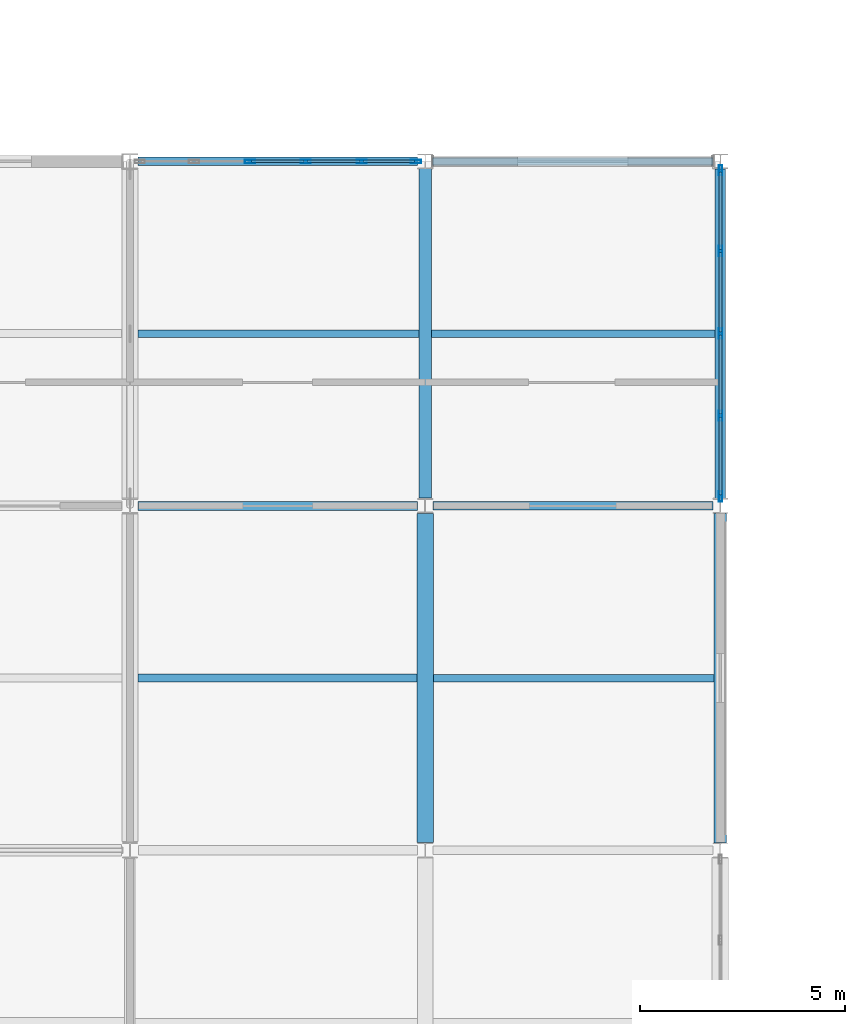
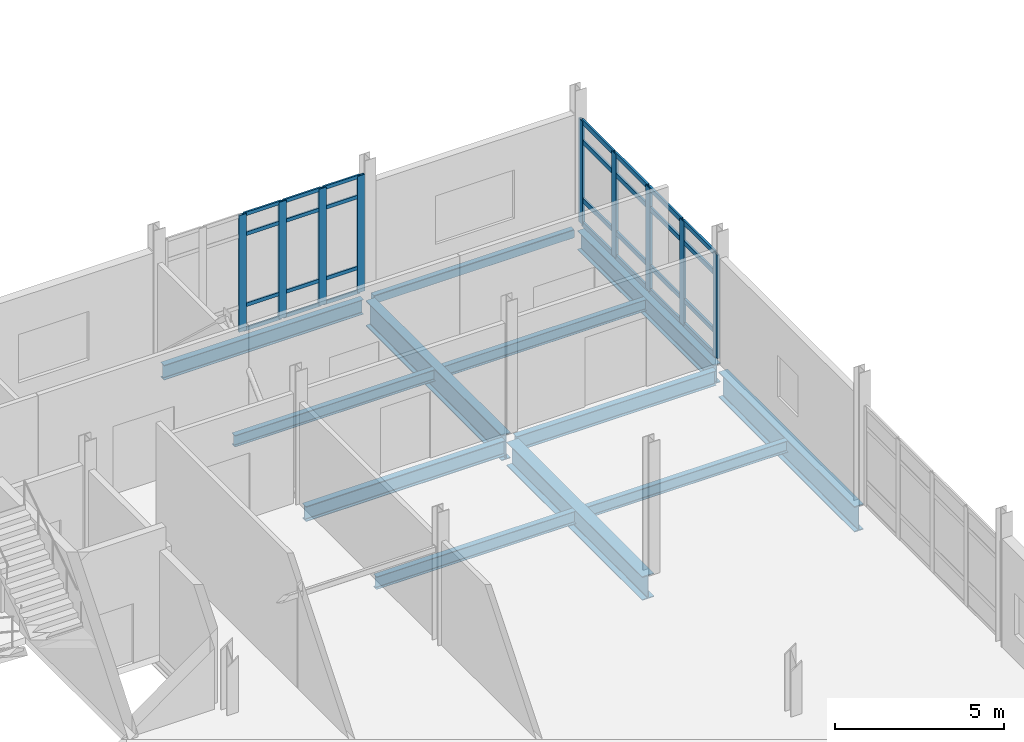
# One storey, part 109 of 186: 37 members, 12 beams, 2 elements without a shape of their own.
"""IFC4 building model written with IfcOpenShell, lengths in metres."""

from ifc_helpers import new_model, si_unit, direction, frame, origin, origin_2d, place, context, subcontext, project, spatial, hollow_rectangle, i_section, extrude, material, layer, layer_set, material_profile, profile_set, type_object, element, aggregate, save


model = new_model("IFC4")

# Units and contexts
model_context = context("Model", 3, precision=1e-05, world=origin(), true_north=direction((0.0, 1.0)))
body_context = subcontext(model_context, "Body", "Model", "MODEL_VIEW")
ifc_project = project(units=[si_unit("LENGTHUNIT", "METRE"), si_unit("AREAUNIT", "SQUARE_METRE"), si_unit("VOLUMEUNIT", "CUBIC_METRE"), si_unit("PLANEANGLEUNIT", "RADIAN"), si_unit("MASSUNIT", "GRAM", prefix="KILO")], contexts=[model_context])

# Site, building, storey
site_placement = place(None, origin())
site = spatial("IfcSite", under=ifc_project, at=site_placement, CompositionType="ELEMENT")
building_placement = place(site_placement, origin())
building = spatial("IfcBuilding", under=site, at=building_placement, Name="Calvrana Isthmian Art Gallery", CompositionType="ELEMENT")
storey_placement = place(building_placement, frame((0.0, 0.0, 5.39990234375)))
storey = spatial("IfcBuildingStorey", under=building, at=storey_placement, Name="L01", CompositionType="ELEMENT", Elevation=5.39990234375)

# Beams
ifc_material_1 = material(Name="Steel ASTM A992 Gr 50", Category="steel")
ifc_material_profile_1 = material_profile(ifc_material_1, i_section(OverallWidth=0.208984375, OverallDepth=0.532958984375, WebThickness=0.01025390625, FlangeThickness=0.015625, FilletRadius=0.02099609375, at=origin_2d()), Name="W21X62")
ifc_profile_set_1 = profile_set([ifc_material_profile_1], Name="Steel ASTM A992 Gr 50")
beam_type_1 = type_object("IfcBeamType", Name="BM-G-W21X62", PredefinedType="BEAM", material=ifc_profile_set_1)
beam_1_placement = place(storey_placement, frame((148.986572265625, 38.39990234375, -0.511474609375), z_axis=(1.0, 0.0, 0.0), x_axis=(0.0, 1.0, 0.0)))
element("IfcBeam", 1, at=beam_1_placement, inside=storey, type_object=beam_type_1, Name="Girder X L01 20-21/F", PredefinedType="BEAM", context=body_context, shape_type="SweptSolid", body=[
    extrude(i_section(OverallWidth=0.208984375, OverallDepth=0.532958984375, WebThickness=0.01025390625, FlangeThickness=0.015625, FilletRadius=0.02099609375, at=origin_2d()), origin(), (0.0, 0.0, 1.0), 6.826904296875),
])
beam_2_placement = place(storey_placement, frame((141.799560546875, 46.800048828125, -0.511474609375), z_axis=(1.0, 0.0, 0.0), x_axis=(0.0, 1.0, 0.0)))
element("IfcBeam", 2, at=beam_2_placement, inside=storey, type_object=beam_type_1, Name="Girder X L01 19-20/G", PredefinedType="BEAM", context=body_context, shape_type="SweptSolid", body=[
    extrude(i_section(OverallWidth=0.208984375, OverallDepth=0.532958984375, WebThickness=0.01025390625, FlangeThickness=0.015625, FilletRadius=0.02099609375, at=origin_2d()), origin(), (0.0, 0.0, 1.0), 6.81640625),
])
ifc_material_profile_2 = material_profile(ifc_material_1, i_section(OverallWidth=0.214111328125, OverallDepth=0.549072265625, WebThickness=0.0146484375, FlangeThickness=0.023681640625, FilletRadius=0.02099609375, at=origin_2d()), Name="W21X93")
ifc_profile_set_2 = profile_set([ifc_material_profile_2], Name="Steel ASTM A992 Gr 50")
beam_type_2 = type_object("IfcBeamType", Name="BM-G-W21X93", PredefinedType="BEAM", material=ifc_profile_set_2)
beam_3_placement = place(storey_placement, frame((141.799560546875, 38.39990234375, -0.519287109375), z_axis=(1.0, 0.0, 0.0), x_axis=(0.0, 1.0, 0.0)))
element("IfcBeam", 3, at=beam_3_placement, inside=storey, type_object=beam_type_2, Name="Girder X L01 19-20/F", PredefinedType="BEAM", context=body_context, shape_type="SweptSolid", body=[
    extrude(i_section(OverallWidth=0.214111328125, OverallDepth=0.549072265625, WebThickness=0.0146484375, FlangeThickness=0.023681640625, FilletRadius=0.02099609375, at=origin_2d()), origin(), (0.0, 0.0, 1.0), 6.81396484375),
])
ifc_material_profile_3 = material_profile(ifc_material_1, i_section(OverallWidth=0.257080078125, OverallDepth=0.693115234375, WebThickness=0.014404296875, FlangeThickness=0.023681640625, FilletRadius=0.02392578125, at=origin_2d()), Name="W27X114")
ifc_profile_set_3 = profile_set([ifc_material_profile_3], Name="Steel ASTM A992 Gr 50")
beam_type_3 = type_object("IfcBeamType", Name="BM-G-W27X114", PredefinedType="BEAM", material=ifc_profile_set_3)
beam_4_placement = place(storey_placement, frame((156.0, 38.583984375, -0.59130859375), z_axis=(0.0, 1.0, 0.0), x_axis=(-1.0, 0.0, 0.0)))
element("IfcBeam", 4, at=beam_4_placement, inside=storey, type_object=beam_type_3, Name="Girder Y L01 21/F-G", PredefinedType="BEAM", context=body_context, shape_type="SweptSolid", body=[
    extrude(i_section(OverallWidth=0.257080078125, OverallDepth=0.693115234375, WebThickness=0.014404296875, FlangeThickness=0.023681640625, FilletRadius=0.02392578125, at=origin_2d()), origin(), (0.0, 0.0, 1.0), 8.029541015625),
])
ifc_material_profile_4 = material_profile(ifc_material_1, i_section(OverallWidth=0.40087890625, OverallDepth=0.85595703125, WebThickness=0.018310546875, FlangeThickness=0.029296875, FilletRadius=0.02587890625, at=origin_2d()), Name="W33X201")
ifc_profile_set_4 = profile_set([ifc_material_profile_4], Name="Steel ASTM A992 Gr 50")
beam_type_4 = type_object("IfcBeamType", Name="BM-G-W33X201", PredefinedType="BEAM", material=ifc_profile_set_4)
beam_5_placement = place(storey_placement, frame((148.800048828125, 30.18408203125, -0.6728515625), z_axis=(0.0, 1.0, 0.0), x_axis=(-1.0, 0.0, 0.0)))
element("IfcBeam", 5, at=beam_5_placement, inside=storey, type_object=beam_type_4, Name="Girder Y L01 20/E-F", PredefinedType="BEAM", context=body_context, shape_type="SweptSolid", body=[
    extrude(i_section(OverallWidth=0.40087890625, OverallDepth=0.85595703125, WebThickness=0.018310546875, FlangeThickness=0.029296875, FilletRadius=0.02587890625, at=origin_2d()), origin(), (0.0, 0.0, 1.0), 8.029296875),
])
ifc_material_profile_5 = material_profile(ifc_material_1, i_section(OverallWidth=0.306884765625, OverallDepth=0.927001953125, WebThickness=0.019287109375, FlangeThickness=0.031982421875, FilletRadius=0.028076171875, at=origin_2d()), Name="W36X194")
ifc_profile_set_5 = profile_set([ifc_material_profile_5], Name="Steel ASTM A992 Gr 50")
beam_type_5 = type_object("IfcBeamType", Name="BM-G-W36X194", PredefinedType="BEAM", material=ifc_profile_set_5)
beam_6_placement = place(storey_placement, frame((148.800048828125, 38.58642578125, -0.70849609375), z_axis=(0.0, 1.0, 0.0), x_axis=(-1.0, 0.0, 0.0)))
element("IfcBeam", 6, at=beam_6_placement, inside=storey, type_object=beam_type_5, Name="Girder Y L01 20/F-G", PredefinedType="BEAM", context=body_context, shape_type="SweptSolid", body=[
    extrude(i_section(OverallWidth=0.306884765625, OverallDepth=0.927001953125, WebThickness=0.019287109375, FlangeThickness=0.031982421875, FilletRadius=0.028076171875, at=origin_2d()), origin(), (0.0, 0.0, 1.0), 8.03564453125),
])
beam_7_placement = place(storey_placement, frame((156.0, 30.181396484375, -0.70849609375), z_axis=(0.0, 1.0, 0.0), x_axis=(-1.0, 0.0, 0.0)))
element("IfcBeam", 7, at=beam_7_placement, inside=storey, type_object=beam_type_5, Name="Girder Y L01 21/E-F", PredefinedType="BEAM", context=body_context, shape_type="SweptSolid", body=[
    extrude(i_section(OverallWidth=0.306884765625, OverallDepth=0.927001953125, WebThickness=0.019287109375, FlangeThickness=0.031982421875, FilletRadius=0.028076171875, at=origin_2d()), origin(), (0.0, 0.0, 1.0), 8.03466796875),
])
ifc_material_profile_6 = material_profile(ifc_material_1, i_section(OverallWidth=0.177978515625, OverallDepth=0.404052734375, WebThickness=0.007568359375, FlangeThickness=0.010986328125, FilletRadius=0.01806640625, at=origin_2d()), Name="W16X36")
ifc_profile_set_6 = profile_set([ifc_material_profile_6], Name="Steel ASTM A992 Gr 50")
beam_type_6 = type_object("IfcBeamType", Name="BM-J-W16X36", PredefinedType="JOIST", material=ifc_profile_set_6)
beam_8_placement = place(storey_placement, frame((148.95361328125, 42.60009765625, -0.447021484375), z_axis=(1.0, 0.0, 0.0), x_axis=(0.0, 1.0, 0.0)))
element("IfcBeam", 8, at=beam_8_placement, inside=storey, type_object=beam_type_6, Name="Composite joist L01 bay 19-05", PredefinedType="JOIST", context=body_context, shape_type="SweptSolid", body=[
    extrude(i_section(OverallWidth=0.177978515625, OverallDepth=0.404052734375, WebThickness=0.007568359375, FlangeThickness=0.010986328125, FilletRadius=0.01806640625, at=origin_2d()), origin(), (0.0, 0.0, 1.0), 6.91796875),
])
ifc_material_profile_7 = material_profile(ifc_material_1, i_section(OverallWidth=0.179931640625, OverallDepth=0.4140625, WebThickness=0.009765625, FlangeThickness=0.01611328125, FilletRadius=0.01806640625, at=origin_2d()), Name="W16X50")
ifc_profile_set_7 = profile_set([ifc_material_profile_7], Name="Steel ASTM A992 Gr 50")
beam_type_7 = type_object("IfcBeamType", Name="BM-J-W16X50", PredefinedType="JOIST", material=ifc_profile_set_7)
for number, where, z_axis, x_axis, name in (
    (9, (141.800537109375, 42.60009765625, -0.451904296875), (1.0, 0.0, 0.0), (0.0, 1.0, 0.0), "Composite joist L01 bay 18-05"),
    (10, (149.00048828125, 34.199951171875, -0.451904296875), (1.0, 0.0, 0.0), (0.0, 1.0, 0.0), "Composite joist L01 bay 19-04"),
):
    element("IfcBeam", number, at=place(storey_placement, frame(where, z_axis=z_axis, x_axis=x_axis)), inside=storey, type_object=beam_type_7, Name=name, PredefinedType="JOIST", context=body_context, shape_type="SweptSolid", body=[
        extrude(i_section(OverallWidth=0.179931640625, OverallDepth=0.4140625, WebThickness=0.009765625, FlangeThickness=0.01611328125, FilletRadius=0.01806640625, at=origin_2d()), origin(), (0.0, 0.0, 1.0), 6.845947265625),
    ])
ifc_material_profile_8 = material_profile(ifc_material_1, i_section(OverallWidth=0.19091796875, OverallDepth=0.45703125, WebThickness=0.009033203125, FlangeThickness=0.014404296875, FilletRadius=0.02001953125, at=origin_2d()), Name="W18X50")
ifc_profile_set_8 = profile_set([ifc_material_profile_8], Name="Steel ASTM A992 Gr 50")
beam_type_8 = type_object("IfcBeamType", Name="BM-J-W18X50", PredefinedType="JOIST", material=ifc_profile_set_8)
beam_9_placement = place(storey_placement, frame((141.79052734375, 34.199951171875, -0.473388671875), z_axis=(1.0, 0.0, 0.0), x_axis=(0.0, 1.0, 0.0)))
element("IfcBeam", 11, at=beam_9_placement, inside=storey, type_object=beam_type_8, Name="Composite joist L01 bay 18-04", PredefinedType="JOIST", context=body_context, shape_type="SweptSolid", body=[
    extrude(i_section(OverallWidth=0.19091796875, OverallDepth=0.45703125, WebThickness=0.009033203125, FlangeThickness=0.014404296875, FilletRadius=0.02001953125, at=origin_2d()), origin(), (0.0, 0.0, 1.0), 6.80908203125),
])
ifc_material_2 = material(Name="Steel ASTM A500 Gr C", Category="steel")
ifc_material_profile_9 = material_profile(ifc_material_2, hollow_rectangle(XDim=0.203125, YDim=0.3046875, WallThickness=0.0126953125, OuterFilletRadius=0.02490234375, at=origin_2d()), Name="HSS305X203X12.7")
ifc_profile_set_9 = profile_set([ifc_material_profile_9], Name="Steel ASTM A500 Gr C")
beam_type_9 = type_object("IfcBeamType", Name="BM-SP-HSS305", PredefinedType="SPANDREL", material=ifc_profile_set_9)
beam_10_placement = place(storey_placement, frame((148.98388671875, 46.800048828125, -0.397216796875), z_axis=(1.0, 0.0, 0.0), x_axis=(0.0, 1.0, 0.0)))
element("IfcBeam", 12, at=beam_10_placement, inside=storey, type_object=beam_type_9, Name="Girder X L01 20-21/G", PredefinedType="SPANDREL", context=body_context, shape_type="SweptSolid", body=[
    extrude(hollow_rectangle(XDim=0.203125, YDim=0.3046875, WallThickness=0.0126953125, OuterFilletRadius=0.02490234375, at=origin_2d()), origin(), (0.0, 0.0, 1.0), 6.82958984375),
])

# Curtain wall, members
ifc_material_3 = material(Name="Anodized bronze aluminium 6063-T6", Category="aluminium")
ifc_layer_1 = layer(ifc_material_3, 0.179931640625, Name="Anodized bronze aluminium 6063-T6")
ifc_layer_set_1 = layer_set([ifc_layer_1], Name="Anodized bronze aluminium 6063-T6")
curtain_wall_type_1 = type_object("IfcCurtainWallType", Name="CW-UNIT-068X42", PredefinedType="USERDEFINED", material=ifc_layer_set_1)
curtain_wall_1_placement = place(storey_placement, origin())
curtain_wall_1 = element("IfcCurtainWall", 13, at=curtain_wall_1_placement, inside=storey, type_object=curtain_wall_type_1, Name="Curtain wall CW-101", ObjectType="UNITISED CURTAIN WALL", PredefinedType="USERDEFINED")
ifc_material_profile_10 = material_profile(ifc_material_3, hollow_rectangle(XDim=0.080078125, YDim=0.25, WallThickness=0.005615234375, at=origin_2d()), Name="CWM80X250")
ifc_profile_set_10 = profile_set([ifc_material_profile_10], Name="Anodized bronze aluminium 6063-T6")
member_type_1 = type_object("IfcMemberType", Name="CWM-CWM80X250", PredefinedType="MULLION", material=ifc_profile_set_10)
member_1_placement = place(storey_placement, frame((144.524658203125, 46.800048828125, 0.0), z_axis=(0.0, 0.0, 1.0), x_axis=(0.0, 1.0, 0.0)))
member_1 = element("IfcMember", 14, at=member_1_placement, type_object=member_type_1, Name="CW-101 mullion 3", PredefinedType="MULLION", context=body_context, shape_type="SweptSolid", body=[
    extrude(hollow_rectangle(XDim=0.080078125, YDim=0.25, WallThickness=0.005615234375, at=origin_2d()), origin(), (0.0, 0.0, 1.0), 4.21533203125),
])
member_2_placement = place(storey_placement, frame((145.887939453125, 46.800048828125, 0.0), z_axis=(0.0, 0.0, 1.0), x_axis=(0.0, 1.0, 0.0)))
member_2 = element("IfcMember", 15, at=member_2_placement, type_object=member_type_1, Name="CW-101 mullion 4", PredefinedType="MULLION", context=body_context, shape_type="SweptSolid", body=[
    extrude(hollow_rectangle(XDim=0.080078125, YDim=0.25, WallThickness=0.005615234375, at=origin_2d()), origin(), (0.0, 0.0, 1.0), 4.21533203125),
])
member_3_placement = place(storey_placement, frame((147.251220703125, 46.800048828125, 0.0), z_axis=(0.0, 0.0, 1.0), x_axis=(0.0, 1.0, 0.0)))
member_3 = element("IfcMember", 16, at=member_3_placement, type_object=member_type_1, Name="CW-101 mullion 5", PredefinedType="MULLION", context=body_context, shape_type="SweptSolid", body=[
    extrude(hollow_rectangle(XDim=0.080078125, YDim=0.25, WallThickness=0.005615234375, at=origin_2d()), origin(), (0.0, 0.0, 1.0), 4.21533203125),
])
member_4_placement = place(storey_placement, frame((148.574462890625, 46.800048828125, 0.0), z_axis=(0.0, 0.0, 1.0), x_axis=(0.0, 1.0, 0.0)))
member_4 = element("IfcMember", 17, at=member_4_placement, type_object=member_type_1, Name="CW-101 mullion 6", PredefinedType="MULLION", context=body_context, shape_type="SweptSolid", body=[
    extrude(hollow_rectangle(XDim=0.080078125, YDim=0.25, WallThickness=0.005615234375, at=origin_2d()), origin(), (0.0, 0.0, 1.0), 4.21533203125),
])

ifc_layer_2 = layer(ifc_material_3, 0.179931640625, Name="Anodized bronze aluminium 6063-T6")
ifc_layer_set_2 = layer_set([ifc_layer_2], Name="Anodized bronze aluminium 6063-T6")
curtain_wall_type_2 = type_object("IfcCurtainWallType", Name="CW-STICK-080X37", PredefinedType="NOTDEFINED", material=ifc_layer_set_2)
curtain_wall_2_placement = place(storey_placement, origin())
curtain_wall_2 = element("IfcCurtainWall", 18, at=curtain_wall_2_placement, inside=storey, type_object=curtain_wall_type_2, Name="Curtain wall CW-143", PredefinedType="NOTDEFINED")
member_5_placement = place(storey_placement, frame((156.0, 46.58203125, 0.0), z_axis=(0.0, 0.0, 1.0), x_axis=(1.0, 0.0, 0.0)))
member_5 = element("IfcMember", 19, at=member_5_placement, type_object=member_type_1, Name="CW-143 mullion 1", PredefinedType="MULLION", context=body_context, shape_type="SweptSolid", body=[
    extrude(hollow_rectangle(XDim=0.080078125, YDim=0.25, WallThickness=0.005615234375, at=origin_2d()), origin(), (0.0, 0.0, 1.0), 3.748046875),
])
member_6_placement = place(storey_placement, frame((156.0, 44.613037109375, 0.0), z_axis=(0.0, 0.0, 1.0), x_axis=(1.0, 0.0, 0.0)))
member_6 = element("IfcMember", 20, at=member_6_placement, type_object=member_type_1, Name="CW-143 mullion 2", PredefinedType="MULLION", context=body_context, shape_type="SweptSolid", body=[
    extrude(hollow_rectangle(XDim=0.080078125, YDim=0.25, WallThickness=0.005615234375, at=origin_2d()), origin(), (0.0, 0.0, 1.0), 3.748046875),
])
member_7_placement = place(storey_placement, frame((156.0, 42.604248046875, 0.0), z_axis=(0.0, 0.0, 1.0), x_axis=(1.0, 0.0, 0.0)))
member_7 = element("IfcMember", 21, at=member_7_placement, type_object=member_type_1, Name="CW-143 mullion 3", PredefinedType="MULLION", context=body_context, shape_type="SweptSolid", body=[
    extrude(hollow_rectangle(XDim=0.080078125, YDim=0.25, WallThickness=0.005615234375, at=origin_2d()), origin(), (0.0, 0.0, 1.0), 3.748046875),
])
member_8_placement = place(storey_placement, frame((156.0, 40.595458984375, 0.0), z_axis=(0.0, 0.0, 1.0), x_axis=(1.0, 0.0, 0.0)))
member_8 = element("IfcMember", 22, at=member_8_placement, type_object=member_type_1, Name="CW-143 mullion 4", PredefinedType="MULLION", context=body_context, shape_type="SweptSolid", body=[
    extrude(hollow_rectangle(XDim=0.080078125, YDim=0.25, WallThickness=0.005615234375, at=origin_2d()), origin(), (0.0, 0.0, 1.0), 3.748046875),
])
member_9_placement = place(storey_placement, frame((156.0, 38.62646484375, 0.0), z_axis=(0.0, 0.0, 1.0), x_axis=(1.0, 0.0, 0.0)))
member_9 = element("IfcMember", 23, at=member_9_placement, type_object=member_type_1, Name="CW-143 mullion 5", PredefinedType="MULLION", context=body_context, shape_type="SweptSolid", body=[
    extrude(hollow_rectangle(XDim=0.080078125, YDim=0.25, WallThickness=0.005615234375, at=origin_2d()), origin(), (0.0, 0.0, 1.0), 3.748046875),
])

# Member
ifc_material_profile_11 = material_profile(ifc_material_3, hollow_rectangle(XDim=0.06005859375, YDim=0.1298828125, WallThickness=0.00390625, at=origin_2d()), Name="CWT60X130")
ifc_profile_set_11 = profile_set([ifc_material_profile_11], Name="Anodized bronze aluminium 6063-T6")
member_type_2 = type_object("IfcMemberType", Name="CWT-CWT60X130", PredefinedType="USERDEFINED", material=ifc_profile_set_11)
member_10_placement = place(storey_placement, frame((144.564697265625, 46.800048828125, 0.030029296875), z_axis=(1.0, 0.0, 0.0), x_axis=(0.0, 1.0, 0.0)))
member_10 = element("IfcMember", 24, at=member_10_placement, type_object=member_type_2, Name="CW-101 transom 3.1", ObjectType="TRANSOM", PredefinedType="USERDEFINED", context=body_context, shape_type="SweptSolid", body=[
    extrude(hollow_rectangle(XDim=0.06005859375, YDim=0.1298828125, WallThickness=0.00390625, at=origin_2d()), origin(), (0.0, 0.0, 1.0), 1.283203125),
])

member_11_placement = place(storey_placement, frame((144.564697265625, 46.800048828125, 0.900146484375), z_axis=(1.0, 0.0, 0.0), x_axis=(0.0, 1.0, 0.0)))
member_11 = element("IfcMember", 25, at=member_11_placement, type_object=member_type_2, Name="CW-101 transom 3.2", ObjectType="TRANSOM", PredefinedType="USERDEFINED", context=body_context, shape_type="SweptSolid", body=[
    extrude(hollow_rectangle(XDim=0.06005859375, YDim=0.1298828125, WallThickness=0.00390625, at=origin_2d()), origin(), (0.0, 0.0, 1.0), 1.283203125),
])

member_12_placement = place(storey_placement, frame((144.564697265625, 46.800048828125, 3.46533203125), z_axis=(1.0, 0.0, 0.0), x_axis=(0.0, 1.0, 0.0)))
member_12 = element("IfcMember", 26, at=member_12_placement, type_object=member_type_2, Name="CW-101 transom 3.3", ObjectType="TRANSOM", PredefinedType="USERDEFINED", context=body_context, shape_type="SweptSolid", body=[
    extrude(hollow_rectangle(XDim=0.06005859375, YDim=0.1298828125, WallThickness=0.00390625, at=origin_2d()), origin(), (0.0, 0.0, 1.0), 1.283203125),
])

member_13_placement = place(storey_placement, frame((144.564697265625, 46.800048828125, 4.185302734375), z_axis=(1.0, 0.0, 0.0), x_axis=(0.0, 1.0, 0.0)))
member_13 = element("IfcMember", 27, at=member_13_placement, type_object=member_type_2, Name="CW-101 transom 3.4", ObjectType="TRANSOM", PredefinedType="USERDEFINED", context=body_context, shape_type="SweptSolid", body=[
    extrude(hollow_rectangle(XDim=0.06005859375, YDim=0.1298828125, WallThickness=0.00390625, at=origin_2d()), origin(), (0.0, 0.0, 1.0), 1.283203125),
])

member_14_placement = place(storey_placement, frame((145.927978515625, 46.800048828125, 0.030029296875), z_axis=(1.0, 0.0, 0.0), x_axis=(0.0, 1.0, 0.0)))
member_14 = element("IfcMember", 28, at=member_14_placement, type_object=member_type_2, Name="CW-101 transom 4.1", ObjectType="TRANSOM", PredefinedType="USERDEFINED", context=body_context, shape_type="SweptSolid", body=[
    extrude(hollow_rectangle(XDim=0.06005859375, YDim=0.1298828125, WallThickness=0.00390625, at=origin_2d()), origin(), (0.0, 0.0, 1.0), 1.283203125),
])

member_15_placement = place(storey_placement, frame((145.927978515625, 46.800048828125, 0.900146484375), z_axis=(1.0, 0.0, 0.0), x_axis=(0.0, 1.0, 0.0)))
member_15 = element("IfcMember", 29, at=member_15_placement, type_object=member_type_2, Name="CW-101 transom 4.2", ObjectType="TRANSOM", PredefinedType="USERDEFINED", context=body_context, shape_type="SweptSolid", body=[
    extrude(hollow_rectangle(XDim=0.06005859375, YDim=0.1298828125, WallThickness=0.00390625, at=origin_2d()), origin(), (0.0, 0.0, 1.0), 1.283203125),
])

member_16_placement = place(storey_placement, frame((145.927978515625, 46.800048828125, 3.46533203125), z_axis=(1.0, 0.0, 0.0), x_axis=(0.0, 1.0, 0.0)))
member_16 = element("IfcMember", 30, at=member_16_placement, type_object=member_type_2, Name="CW-101 transom 4.3", ObjectType="TRANSOM", PredefinedType="USERDEFINED", context=body_context, shape_type="SweptSolid", body=[
    extrude(hollow_rectangle(XDim=0.06005859375, YDim=0.1298828125, WallThickness=0.00390625, at=origin_2d()), origin(), (0.0, 0.0, 1.0), 1.283203125),
])

member_17_placement = place(storey_placement, frame((145.927978515625, 46.800048828125, 4.185302734375), z_axis=(1.0, 0.0, 0.0), x_axis=(0.0, 1.0, 0.0)))
member_17 = element("IfcMember", 31, at=member_17_placement, type_object=member_type_2, Name="CW-101 transom 4.4", ObjectType="TRANSOM", PredefinedType="USERDEFINED", context=body_context, shape_type="SweptSolid", body=[
    extrude(hollow_rectangle(XDim=0.06005859375, YDim=0.1298828125, WallThickness=0.00390625, at=origin_2d()), origin(), (0.0, 0.0, 1.0), 1.283203125),
])

member_18_placement = place(storey_placement, frame((147.291259765625, 46.800048828125, 0.030029296875), z_axis=(1.0, 0.0, 0.0), x_axis=(0.0, 1.0, 0.0)))
member_18 = element("IfcMember", 32, at=member_18_placement, type_object=member_type_2, Name="CW-101 transom 5.1", ObjectType="TRANSOM", PredefinedType="USERDEFINED", context=body_context, shape_type="SweptSolid", body=[
    extrude(hollow_rectangle(XDim=0.06005859375, YDim=0.1298828125, WallThickness=0.00390625, at=origin_2d()), origin(), (0.0, 0.0, 1.0), 1.2431640625),
])

member_19_placement = place(storey_placement, frame((147.291259765625, 46.800048828125, 0.900146484375), z_axis=(1.0, 0.0, 0.0), x_axis=(0.0, 1.0, 0.0)))
member_19 = element("IfcMember", 33, at=member_19_placement, type_object=member_type_2, Name="CW-101 transom 5.2", ObjectType="TRANSOM", PredefinedType="USERDEFINED", context=body_context, shape_type="SweptSolid", body=[
    extrude(hollow_rectangle(XDim=0.06005859375, YDim=0.1298828125, WallThickness=0.00390625, at=origin_2d()), origin(), (0.0, 0.0, 1.0), 1.2431640625),
])

member_20_placement = place(storey_placement, frame((147.291259765625, 46.800048828125, 3.46533203125), z_axis=(1.0, 0.0, 0.0), x_axis=(0.0, 1.0, 0.0)))
member_20 = element("IfcMember", 34, at=member_20_placement, type_object=member_type_2, Name="CW-101 transom 5.3", ObjectType="TRANSOM", PredefinedType="USERDEFINED", context=body_context, shape_type="SweptSolid", body=[
    extrude(hollow_rectangle(XDim=0.06005859375, YDim=0.1298828125, WallThickness=0.00390625, at=origin_2d()), origin(), (0.0, 0.0, 1.0), 1.2431640625),
])

member_21_placement = place(storey_placement, frame((147.291259765625, 46.800048828125, 4.185302734375), z_axis=(1.0, 0.0, 0.0), x_axis=(0.0, 1.0, 0.0)))
member_21 = element("IfcMember", 35, at=member_21_placement, type_object=member_type_2, Name="CW-101 transom 5.4", ObjectType="TRANSOM", PredefinedType="USERDEFINED", context=body_context, shape_type="SweptSolid", body=[
    extrude(hollow_rectangle(XDim=0.06005859375, YDim=0.1298828125, WallThickness=0.00390625, at=origin_2d()), origin(), (0.0, 0.0, 1.0), 1.2431640625),
])

aggregate(curtain_wall_1, [member_1, member_2, member_3, member_4, member_10, member_11, member_12, member_13, member_14, member_15, member_16, member_17, member_18, member_19, member_20, member_21])

ifc_material_profile_12 = material_profile(ifc_material_3, hollow_rectangle(XDim=0.070068359375, YDim=0.169921875, WallThickness=0.00439453125, at=origin_2d()), Name="CWT70X170")
ifc_profile_set_12 = profile_set([ifc_material_profile_12], Name="Anodized bronze aluminium 6063-T6")
member_type_3 = type_object("IfcMemberType", Name="CWT-CWT70X170", PredefinedType="USERDEFINED", material=ifc_profile_set_12)
member_22_placement = place(storey_placement, frame((156.0, 46.5419921875, 0.03515625), z_axis=(0.0, -1.0, 0.0), x_axis=(1.0, 0.0, 0.0)))
member_22 = element("IfcMember", 36, at=member_22_placement, type_object=member_type_3, Name="CW-143 transom 1.1", ObjectType="TRANSOM", PredefinedType="USERDEFINED", context=body_context, shape_type="SweptSolid", body=[
    extrude(hollow_rectangle(XDim=0.070068359375, YDim=0.169921875, WallThickness=0.00439453125, at=origin_2d()), origin(), (0.0, 0.0, 1.0), 1.888916015625),
])

member_23_placement = place(storey_placement, frame((156.0, 46.5419921875, 0.900146484375), z_axis=(0.0, -1.0, 0.0), x_axis=(1.0, 0.0, 0.0)))
member_23 = element("IfcMember", 37, at=member_23_placement, type_object=member_type_3, Name="CW-143 transom 1.2", ObjectType="TRANSOM", PredefinedType="USERDEFINED", context=body_context, shape_type="SweptSolid", body=[
    extrude(hollow_rectangle(XDim=0.070068359375, YDim=0.169921875, WallThickness=0.00439453125, at=origin_2d()), origin(), (0.0, 0.0, 1.0), 1.888916015625),
])

member_24_placement = place(storey_placement, frame((156.0, 46.5419921875, 2.998046875), z_axis=(0.0, -1.0, 0.0), x_axis=(1.0, 0.0, 0.0)))
member_24 = element("IfcMember", 38, at=member_24_placement, type_object=member_type_3, Name="CW-143 transom 1.3", ObjectType="TRANSOM", PredefinedType="USERDEFINED", context=body_context, shape_type="SweptSolid", body=[
    extrude(hollow_rectangle(XDim=0.070068359375, YDim=0.169921875, WallThickness=0.00439453125, at=origin_2d()), origin(), (0.0, 0.0, 1.0), 1.888916015625),
])

member_25_placement = place(storey_placement, frame((156.0, 46.5419921875, 3.713134765625), z_axis=(0.0, -1.0, 0.0), x_axis=(1.0, 0.0, 0.0)))
member_25 = element("IfcMember", 39, at=member_25_placement, type_object=member_type_3, Name="CW-143 transom 1.4", ObjectType="TRANSOM", PredefinedType="USERDEFINED", context=body_context, shape_type="SweptSolid", body=[
    extrude(hollow_rectangle(XDim=0.070068359375, YDim=0.169921875, WallThickness=0.00439453125, at=origin_2d()), origin(), (0.0, 0.0, 1.0), 1.888916015625),
])

member_26_placement = place(storey_placement, frame((156.0, 44.5732421875, 0.03515625), z_axis=(0.0, -1.0, 0.0), x_axis=(1.0, 0.0, 0.0)))
member_26 = element("IfcMember", 40, at=member_26_placement, type_object=member_type_3, Name="CW-143 transom 2.1", ObjectType="TRANSOM", PredefinedType="USERDEFINED", context=body_context, shape_type="SweptSolid", body=[
    extrude(hollow_rectangle(XDim=0.070068359375, YDim=0.169921875, WallThickness=0.00439453125, at=origin_2d()), origin(), (0.0, 0.0, 1.0), 1.928955078125),
])

member_27_placement = place(storey_placement, frame((156.0, 44.5732421875, 0.900146484375), z_axis=(0.0, -1.0, 0.0), x_axis=(1.0, 0.0, 0.0)))
member_27 = element("IfcMember", 41, at=member_27_placement, type_object=member_type_3, Name="CW-143 transom 2.2", ObjectType="TRANSOM", PredefinedType="USERDEFINED", context=body_context, shape_type="SweptSolid", body=[
    extrude(hollow_rectangle(XDim=0.070068359375, YDim=0.169921875, WallThickness=0.00439453125, at=origin_2d()), origin(), (0.0, 0.0, 1.0), 1.928955078125),
])

member_28_placement = place(storey_placement, frame((156.0, 44.5732421875, 2.998046875), z_axis=(0.0, -1.0, 0.0), x_axis=(1.0, 0.0, 0.0)))
member_28 = element("IfcMember", 42, at=member_28_placement, type_object=member_type_3, Name="CW-143 transom 2.3", ObjectType="TRANSOM", PredefinedType="USERDEFINED", context=body_context, shape_type="SweptSolid", body=[
    extrude(hollow_rectangle(XDim=0.070068359375, YDim=0.169921875, WallThickness=0.00439453125, at=origin_2d()), origin(), (0.0, 0.0, 1.0), 1.928955078125),
])

member_29_placement = place(storey_placement, frame((156.0, 44.5732421875, 3.713134765625), z_axis=(0.0, -1.0, 0.0), x_axis=(1.0, 0.0, 0.0)))
member_29 = element("IfcMember", 43, at=member_29_placement, type_object=member_type_3, Name="CW-143 transom 2.4", ObjectType="TRANSOM", PredefinedType="USERDEFINED", context=body_context, shape_type="SweptSolid", body=[
    extrude(hollow_rectangle(XDim=0.070068359375, YDim=0.169921875, WallThickness=0.00439453125, at=origin_2d()), origin(), (0.0, 0.0, 1.0), 1.928955078125),
])

member_30_placement = place(storey_placement, frame((156.0, 42.564208984375, 0.03515625), z_axis=(0.0, -1.0, 0.0), x_axis=(1.0, 0.0, 0.0)))
member_30 = element("IfcMember", 44, at=member_30_placement, type_object=member_type_3, Name="CW-143 transom 3.1", ObjectType="TRANSOM", PredefinedType="USERDEFINED", context=body_context, shape_type="SweptSolid", body=[
    extrude(hollow_rectangle(XDim=0.070068359375, YDim=0.169921875, WallThickness=0.00439453125, at=origin_2d()), origin(), (0.0, 0.0, 1.0), 1.928955078125),
])

member_31_placement = place(storey_placement, frame((156.0, 42.564208984375, 0.900146484375), z_axis=(0.0, -1.0, 0.0), x_axis=(1.0, 0.0, 0.0)))
member_31 = element("IfcMember", 45, at=member_31_placement, type_object=member_type_3, Name="CW-143 transom 3.2", ObjectType="TRANSOM", PredefinedType="USERDEFINED", context=body_context, shape_type="SweptSolid", body=[
    extrude(hollow_rectangle(XDim=0.070068359375, YDim=0.169921875, WallThickness=0.00439453125, at=origin_2d()), origin(), (0.0, 0.0, 1.0), 1.928955078125),
])

member_32_placement = place(storey_placement, frame((156.0, 42.564208984375, 2.998046875), z_axis=(0.0, -1.0, 0.0), x_axis=(1.0, 0.0, 0.0)))
member_32 = element("IfcMember", 46, at=member_32_placement, type_object=member_type_3, Name="CW-143 transom 3.3", ObjectType="TRANSOM", PredefinedType="USERDEFINED", context=body_context, shape_type="SweptSolid", body=[
    extrude(hollow_rectangle(XDim=0.070068359375, YDim=0.169921875, WallThickness=0.00439453125, at=origin_2d()), origin(), (0.0, 0.0, 1.0), 1.928955078125),
])

member_33_placement = place(storey_placement, frame((156.0, 42.564208984375, 3.713134765625), z_axis=(0.0, -1.0, 0.0), x_axis=(1.0, 0.0, 0.0)))
member_33 = element("IfcMember", 47, at=member_33_placement, type_object=member_type_3, Name="CW-143 transom 3.4", ObjectType="TRANSOM", PredefinedType="USERDEFINED", context=body_context, shape_type="SweptSolid", body=[
    extrude(hollow_rectangle(XDim=0.070068359375, YDim=0.169921875, WallThickness=0.00439453125, at=origin_2d()), origin(), (0.0, 0.0, 1.0), 1.928955078125),
])

member_34_placement = place(storey_placement, frame((156.0, 40.555419921875, 0.03515625), z_axis=(0.0, -1.0, 0.0), x_axis=(1.0, 0.0, 0.0)))
member_34 = element("IfcMember", 48, at=member_34_placement, type_object=member_type_3, Name="CW-143 transom 4.1", ObjectType="TRANSOM", PredefinedType="USERDEFINED", context=body_context, shape_type="SweptSolid", body=[
    extrude(hollow_rectangle(XDim=0.070068359375, YDim=0.169921875, WallThickness=0.00439453125, at=origin_2d()), origin(), (0.0, 0.0, 1.0), 1.888916015625),
])

member_35_placement = place(storey_placement, frame((156.0, 40.555419921875, 0.900146484375), z_axis=(0.0, -1.0, 0.0), x_axis=(1.0, 0.0, 0.0)))
member_35 = element("IfcMember", 49, at=member_35_placement, type_object=member_type_3, Name="CW-143 transom 4.2", ObjectType="TRANSOM", PredefinedType="USERDEFINED", context=body_context, shape_type="SweptSolid", body=[
    extrude(hollow_rectangle(XDim=0.070068359375, YDim=0.169921875, WallThickness=0.00439453125, at=origin_2d()), origin(), (0.0, 0.0, 1.0), 1.888916015625),
])

member_36_placement = place(storey_placement, frame((156.0, 40.555419921875, 2.998046875), z_axis=(0.0, -1.0, 0.0), x_axis=(1.0, 0.0, 0.0)))
member_36 = element("IfcMember", 50, at=member_36_placement, type_object=member_type_3, Name="CW-143 transom 4.3", ObjectType="TRANSOM", PredefinedType="USERDEFINED", context=body_context, shape_type="SweptSolid", body=[
    extrude(hollow_rectangle(XDim=0.070068359375, YDim=0.169921875, WallThickness=0.00439453125, at=origin_2d()), origin(), (0.0, 0.0, 1.0), 1.888916015625),
])

member_37_placement = place(storey_placement, frame((156.0, 40.555419921875, 3.713134765625), z_axis=(0.0, -1.0, 0.0), x_axis=(1.0, 0.0, 0.0)))
member_37 = element("IfcMember", 51, at=member_37_placement, type_object=member_type_3, Name="CW-143 transom 4.4", ObjectType="TRANSOM", PredefinedType="USERDEFINED", context=body_context, shape_type="SweptSolid", body=[
    extrude(hollow_rectangle(XDim=0.070068359375, YDim=0.169921875, WallThickness=0.00439453125, at=origin_2d()), origin(), (0.0, 0.0, 1.0), 1.888916015625),
])

aggregate(curtain_wall_2, [member_5, member_6, member_7, member_8, member_9, member_22, member_23, member_24, member_25, member_26, member_27, member_28, member_29, member_30, member_31, member_32, member_33, member_34, member_35, member_36, member_37])

save(model, "model.ifc")
